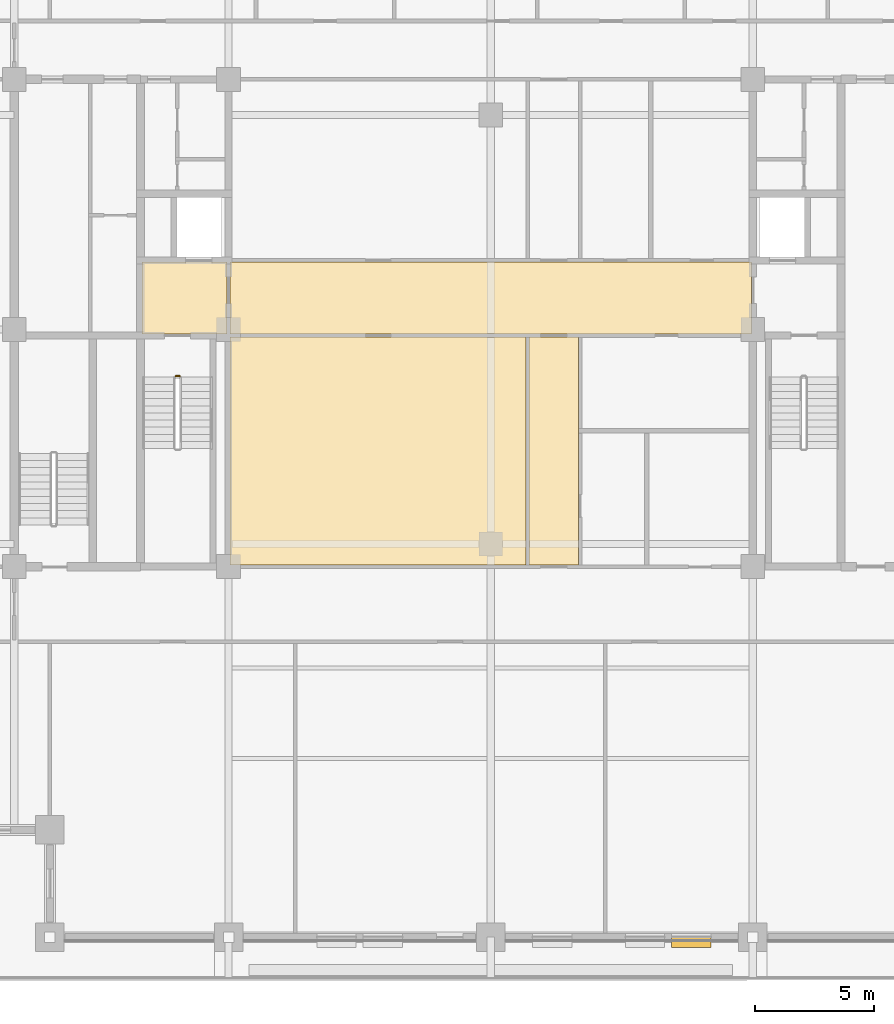
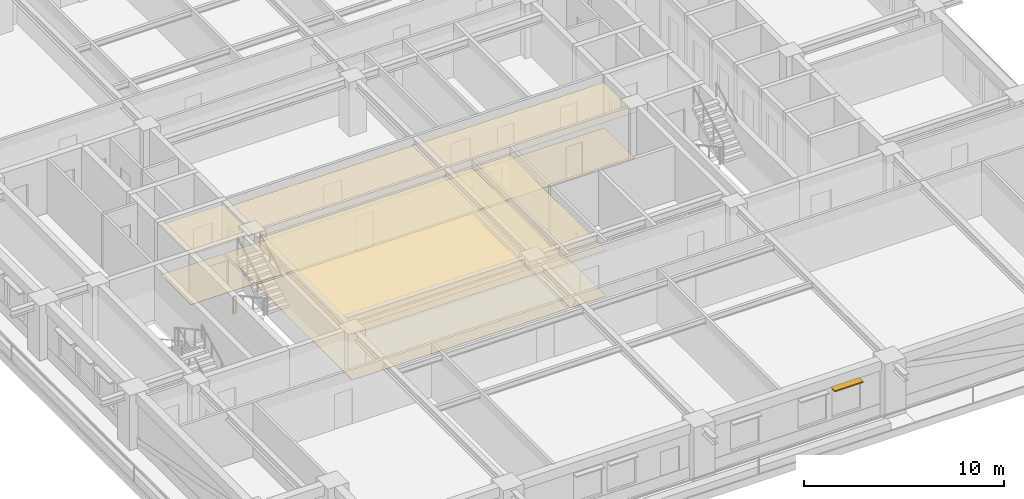
# One storey, part 11 of 14: 8 coverings, 1 railing, 1 shading device.
"""IFC4 building model written with IfcOpenShell, lengths in metres."""

from ifc_helpers import new_model, si_unit, direction, frame, frame_2d, origin, origin_2d, place, context, subcontext, project, spatial, polyline, rectangle, outline, extrude, material, layer, layer_set, type_object, element, save


model = new_model("IFC4")

# Units and contexts
model_context = context("Model", 3, precision=1e-05, world=origin(), true_north=direction((0.0, 1.0)))
body_context = subcontext(model_context, "Body", "Model", "MODEL_VIEW")
ifc_project = project(units=[si_unit("LENGTHUNIT", "METRE"), si_unit("AREAUNIT", "SQUARE_METRE"), si_unit("VOLUMEUNIT", "CUBIC_METRE"), si_unit("PLANEANGLEUNIT", "RADIAN"), si_unit("MASSUNIT", "GRAM", prefix="KILO")], contexts=[model_context])

# Site, building, storey
site_placement = place(None, origin())
site = spatial("IfcSite", under=ifc_project, at=site_placement, CompositionType="ELEMENT")
building_placement = place(site_placement, origin())
building = spatial("IfcBuilding", under=site, at=building_placement, Name="Zulmaris Gate Convention Tower", CompositionType="ELEMENT")
storey_placement = place(building_placement, frame((0.0, 0.0, 102.06982421875)))
storey = spatial("IfcBuildingStorey", under=building, at=storey_placement, Name="L25", CompositionType="ELEMENT", Elevation=102.06982421875)

# Coverings
ifc_material_1 = material(Name="Mineral Fibre Acoustic Ceiling Tile")
ifc_layer_1 = layer(ifc_material_1, 0.02001953125, Name="Mineral Fibre Acoustic Ceiling Tile")
ifc_layer_set_1 = layer_set([ifc_layer_1], Name="Mineral Fibre Acoustic Ceiling Tile")
covering_type_1 = type_object("IfcCoveringType", Name="CLG-ACOUSTIC-600", PredefinedType="CEILING", material=ifc_layer_set_1)
covering_1_placement = place(storey_placement, frame((0.0, 0.0, 3.0400390625)))
element("IfcCovering", 1, at=covering_1_placement, inside=storey, type_object=covering_type_1, Name="CLG-L25-R03", PredefinedType="CEILING", context=body_context, shape_type="SweptSolid", body=[
    extrude(outline(polyline([(-14.639892578125, -0.18994140625), (-11.06005859375, -0.18994140625), (-11.06005859375, 2.840087890625), (-14.639892578125, 2.840087890625), (-14.639892578125, -0.18994140625)])), origin(), (0.0, 0.0, 1.0), 0.02001953125),
])
covering_2_placement = place(storey_placement, frame((0.0, 0.0, 2.778076171875)))
element("IfcCovering", 2, at=covering_2_placement, inside=storey, type_object=covering_type_1, Name="CLG-L25-R34", PredefinedType="CEILING", context=body_context, shape_type="SweptSolid", body=[
    extrude(outline(polyline([(-10.93994140625, -0.18994140625), (10.93994140625, -0.18994140625), (10.93994140625, 2.840087890625), (-10.93994140625, 2.840087890625), (-10.93994140625, -0.18994140625)])), origin(), (0.0, 0.0, 1.0), 0.02001953125),
])
covering_3_placement = place(storey_placement, frame((0.0, 0.0, 2.778076171875)))
element("IfcCovering", 3, at=covering_3_placement, inside=storey, type_object=covering_type_1, Name="CLG-L25-R36", PredefinedType="CEILING", context=body_context, shape_type="SweptSolid", body=[
    extrude(outline(polyline([(1.610107421875, -9.889892578125), (3.68994140625, -9.889892578125), (3.68994140625, -0.31005859375), (1.610107421875, -0.31005859375), (1.610107421875, -9.889892578125)])), origin(), (0.0, 0.0, 1.0), 0.02001953125),
])
covering_4_placement = place(storey_placement, frame((0.0, 0.0, 2.778076171875)))
element("IfcCovering", 4, at=covering_4_placement, inside=storey, type_object=covering_type_1, Name="CLG-L25-R49", PredefinedType="CEILING", context=body_context, shape_type="SweptSolid", body=[
    extrude(outline(polyline([(-10.93994140625, -9.889892578125), (1.489990234375, -9.889892578125), (1.489990234375, -0.31005859375), (-10.93994140625, -0.31005859375), (-10.93994140625, -9.889892578125)])), origin(), (0.0, 0.0, 1.0), 0.02001953125),
])
ifc_material_2 = material(Name="Woven Acoustic Wool Carpet Tile")
ifc_layer_2 = layer(ifc_material_2, 0.02001953125, Name="Woven Acoustic Wool Carpet Tile")
ifc_layer_set_2 = layer_set([ifc_layer_2], Name="Woven Acoustic Wool Carpet Tile")
covering_type_2 = type_object("IfcCoveringType", Name="FLR-CARPET-12", PredefinedType="FLOORING", material=ifc_layer_set_2)
covering_5_placement = place(storey_placement, origin())
element("IfcCovering", 5, at=covering_5_placement, inside=storey, type_object=covering_type_2, Name="FLR-L25-R03", PredefinedType="FLOORING", context=body_context, shape_type="SweptSolid", body=[
    extrude(outline(polyline([(-14.639892578125, -0.18994140625), (-11.06005859375, -0.18994140625), (-11.06005859375, 2.840087890625), (-14.639892578125, 2.840087890625), (-14.639892578125, -0.18994140625)])), origin(), (0.0, 0.0, 1.0), 0.02001953125),
])
covering_6_placement = place(storey_placement, origin())
element("IfcCovering", 6, at=covering_6_placement, inside=storey, type_object=covering_type_2, Name="FLR-L25-R34", PredefinedType="FLOORING", context=body_context, shape_type="SweptSolid", body=[
    extrude(outline(polyline([(-10.93994140625, -0.18994140625), (10.93994140625, -0.18994140625), (10.93994140625, 2.840087890625), (-10.93994140625, 2.840087890625), (-10.93994140625, -0.18994140625)])), origin(), (0.0, 0.0, 1.0), 0.02001953125),
])
covering_7_placement = place(storey_placement, origin())
element("IfcCovering", 7, at=covering_7_placement, inside=storey, type_object=covering_type_2, Name="FLR-L25-R36", PredefinedType="FLOORING", context=body_context, shape_type="SweptSolid", body=[
    extrude(outline(polyline([(1.610107421875, -9.889892578125), (3.68994140625, -9.889892578125), (3.68994140625, -0.31005859375), (1.610107421875, -0.31005859375), (1.610107421875, -9.889892578125)])), origin(), (0.0, 0.0, 1.0), 0.02001953125),
])
covering_8_placement = place(storey_placement, origin())
element("IfcCovering", 8, at=covering_8_placement, inside=storey, type_object=covering_type_2, Name="FLR-L25-R49", PredefinedType="FLOORING", context=body_context, shape_type="SweptSolid", body=[
    extrude(outline(polyline([(-10.93994140625, -9.889892578125), (1.489990234375, -9.889892578125), (1.489990234375, -0.31005859375), (-10.93994140625, -0.31005859375), (-10.93994140625, -9.889892578125)])), origin(), (0.0, 0.0, 1.0), 0.02001953125),
])

# Railing
ifc_material_3 = material(Name="Painted Galvanised Steel", Category="steel")
railing_type = type_object("IfcRailingType", Name="RL-STG-1150", PredefinedType="GUARDRAIL", material=ifc_material_3)
railing_placement = place(storey_placement, frame((-13.219970703125, -1.949951171875, 0.0)))
element("IfcRailing", 9, at=railing_placement, inside=storey, type_object=railing_type, Name="L25 ST-1 stair guard 4", PredefinedType="GUARDRAIL", context=body_context, shape_type="SweptSolid", body=[
    extrude(rectangle(XDim=0.048095703125, YDim=0.048095703125, at=origin_2d()), frame((0.0, 0.0, 1.076171875), z_axis=(1.0, 0.0, 0.0), x_axis=(0.0, 1.0, 0.0)), (0.0, 0.0, 1.0), 0.159912109375),
    extrude(rectangle(XDim=0.0419921875, YDim=0.0419921875, at=origin_2d()), origin(), (0.0, 0.0, 1.0), 1.052001953125),
    extrude(rectangle(XDim=0.0419921875, YDim=0.0419921875, at=origin_2d()), frame((0.159912109375, 0.0, 0.0)), (0.0, 0.0, 1.0), 1.052001953125),
])

# Shading device
ifc_material_4 = material(Name="Glazed Ceramic Terracotta", Category="masonry")
ifc_layer_3 = layer(ifc_material_4, 0.070068359375, Name="Glazed Ceramic Terracotta")
ifc_layer_set_3 = layer_set([ifc_layer_3], Name="Glazed Ceramic Terracotta")
shading_device_type = type_object("IfcShadingDeviceType", Name="SHD-SUNSHADE-TC", PredefinedType="AWNING", material=ifc_layer_set_3)
shading_device_placement = place(storey_placement, frame((7.596923828125, -25.719970703125, 2.530029296875), z_axis=(0.0, 0.0, 1.0), x_axis=(1.0, 0.0, 0.0)))
element("IfcShadingDevice", 10, at=shading_device_placement, inside=storey, type_object=shading_device_type, Name="SHD-EW-L25-S-2_0-4", PredefinedType="AWNING", context=body_context, shape_type="SweptSolid", body=[
    extrude(rectangle(XDim=1.650146484375, YDim=0.43994140625, at=frame_2d((0.8251953125, 0.0))), origin(), (0.0, 0.0, 1.0), 0.070068359375),
])

save(model, "model.ifc")
